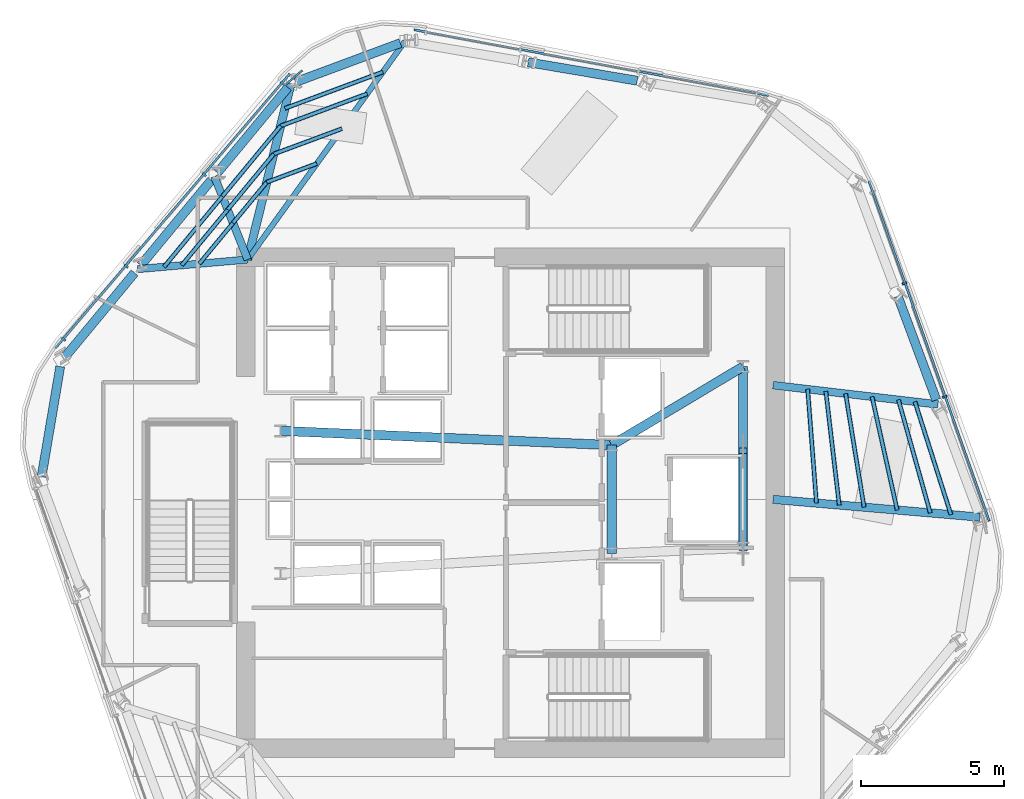
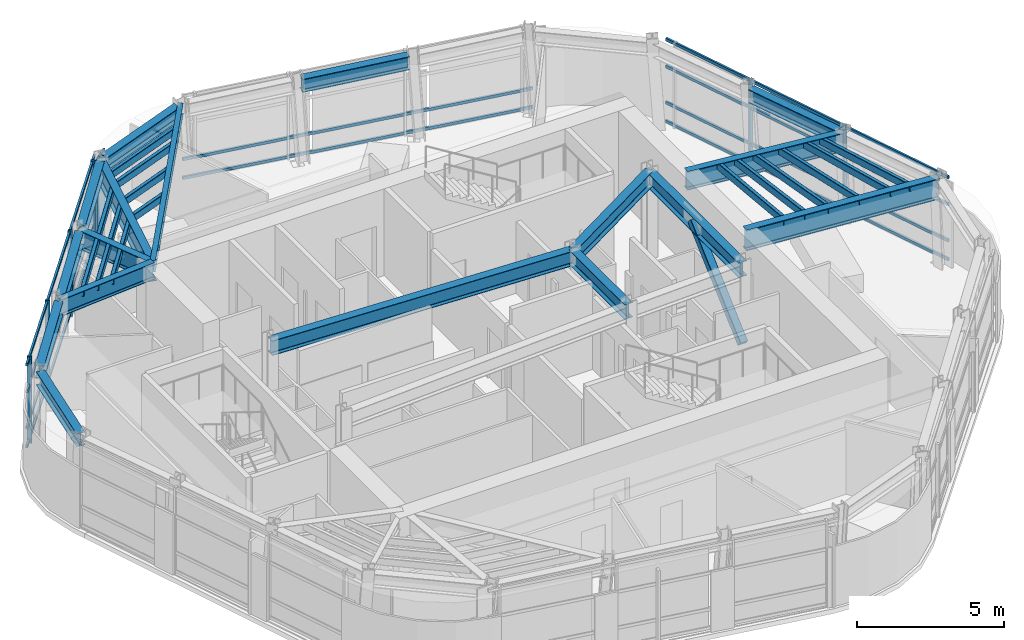
# One storey, part 3 of 12: 34 members, 17 beams, 3 elements without a shape of their own.
"""IFC4 building model written with IfcOpenShell, lengths in metres."""

from ifc_helpers import new_model, si_unit, direction, frame, origin, origin_2d, place, context, subcontext, project, spatial, rectangle, hollow_rectangle, i_section, extrude, material, layer, layer_set, material_profile, profile_set, type_object, element, aggregate, save


model = new_model("IFC4")

# Units and contexts
model_context = context("Model", 3, precision=1e-05, world=origin(), true_north=direction((0.0, 1.0)))
body_context = subcontext(model_context, "Body", "Model", "MODEL_VIEW")
ifc_project = project(units=[si_unit("LENGTHUNIT", "METRE"), si_unit("AREAUNIT", "SQUARE_METRE"), si_unit("VOLUMEUNIT", "CUBIC_METRE"), si_unit("PLANEANGLEUNIT", "RADIAN"), si_unit("MASSUNIT", "GRAM", prefix="KILO")], contexts=[model_context])

# Site, building, storey
site_placement = place(None, origin())
site = spatial("IfcSite", under=ifc_project, at=site_placement, CompositionType="ELEMENT")
building_placement = place(site_placement, origin())
building = spatial("IfcBuilding", under=site, at=building_placement, Name="Valkerne Bourse Tower", CompositionType="ELEMENT")
storey_placement = place(building_placement, frame((0.0, 0.0, 236.0)))
storey = spatial("IfcBuildingStorey", under=building, at=storey_placement, Name="L60", CompositionType="ELEMENT", Elevation=236.0)

# Beams
ifc_material_1 = material(Name="Steel ASTM A992", Category="steel")
ifc_material_profile_1 = material_profile(ifc_material_1, i_section(OverallWidth=0.1904296875, OverallDepth=0.457275390625, WebThickness=0.009033203125, FlangeThickness=0.014404296875, FilletRadius=0.01513671875, at=origin_2d()), Name="W18X50")
ifc_profile_set_1 = profile_set([ifc_material_profile_1], Name="Steel ASTM A992")
beam_type_1 = type_object("IfcBeamType", Name="BM-W18X50", PredefinedType="JOIST", material=ifc_profile_set_1)
beam_1_placement = place(storey_placement, frame((43.105224609375, 43.03955078125, 3.371337890625), z_axis=(-0.584625009684, -0.811303641094, 0.0), x_axis=(0.811303641094, -0.584625009684, 0.0)))
element("IfcBeam", 1, at=beam_1_placement, inside=storey, type_object=beam_type_1, Name="L60 Radial Composite Floor Beam 03", PredefinedType="JOIST", context=body_context, shape_type="SweptSolid", body=[
    extrude(i_section(OverallWidth=0.1904296875, OverallDepth=0.457275390625, WebThickness=0.009033203125, FlangeThickness=0.014404296875, FilletRadius=0.01513671875, at=origin_2d()), origin(), (0.0, 0.0, 1.0), 9.41650390625),
])
ifc_material_profile_2 = material_profile(ifc_material_1, i_section(OverallWidth=0.31494140625, OverallDepth=0.5537109375, WebThickness=0.0166015625, FlangeThickness=0.026123046875, FilletRadius=0.020263671875, at=origin_2d()), Name="W21X132")
ifc_profile_set_2 = profile_set([ifc_material_profile_2], Name="Steel ASTM A992")
beam_type_2 = type_object("IfcBeamType", Name="BM-W21X132", PredefinedType="BEAM", material=ifc_profile_set_2)
beam_2_placement = place(storey_placement, frame((51.24365234375, 41.6630859375, 3.322998046875), z_axis=(-0.985995723124, 0.166770602869, 0.0), x_axis=(-0.166770602869, -0.985995723124, 0.0)))
element("IfcBeam", 2, at=beam_2_placement, inside=storey, type_object=beam_type_2, Name="L60 Hexagonal Spandrel Ring Beam 01", PredefinedType="BEAM", context=body_context, shape_type="SweptSolid", body=[
    extrude(i_section(OverallWidth=0.31494140625, OverallDepth=0.5537109375, WebThickness=0.0166015625, FlangeThickness=0.026123046875, FilletRadius=0.020263671875, at=origin_2d()), origin(), (0.0, 0.0, 1.0), 3.8720703125),
])
beam_3_placement = place(storey_placement, frame((42.94580078125, 42.980224609375, 3.322998046875), z_axis=(-0.937296707827, -0.348532468353, 0.0), x_axis=(0.348532468353, -0.937296707827, 0.0)))
element("IfcBeam", 3, at=beam_3_placement, inside=storey, type_object=beam_type_2, Name="L60 Hexagonal Spandrel Ring Beam 03", PredefinedType="BEAM", context=body_context, shape_type="SweptSolid", body=[
    extrude(i_section(OverallWidth=0.31494140625, OverallDepth=0.5537109375, WebThickness=0.0166015625, FlangeThickness=0.026123046875, FilletRadius=0.020263671875, at=origin_2d()), origin(), (0.0, 0.0, 1.0), 3.915771484375),
])
for number, where, z_axis, x_axis, name in (
    (4, (39.008056640625, 41.425048828125, 3.322998046875), (-0.637414137655, -0.77052139303, 0.0), (0.77052139303, -0.637414137655, 0.0), "L60 Hexagonal Spandrel Ring Beam 04"),
    (5, (36.3232421875, 38.1796875, 3.322998046875), (-0.637414137655, -0.77052139303, 0.0), (0.77052139303, -0.637414137655, 0.0), "L60 Hexagonal Spandrel Ring Beam 05"),
    (6, (33.638427734375, 34.934326171875, 3.322998046875), (-0.637414137655, -0.77052139303, 0.0), (0.77052139303, -0.637414137655, 0.0), "L60 Hexagonal Spandrel Ring Beam 06"),
):
    element("IfcBeam", number, at=place(storey_placement, frame(where, z_axis=z_axis, x_axis=x_axis)), inside=storey, type_object=beam_type_2, Name=name, PredefinedType="BEAM", context=body_context, shape_type="SweptSolid", body=[
        extrude(i_section(OverallWidth=0.31494140625, OverallDepth=0.5537109375, WebThickness=0.0166015625, FlangeThickness=0.026123046875, FilletRadius=0.020263671875, at=origin_2d()), origin(), (0.0, 0.0, 1.0), 3.871826171875),
    ])
beam_4_placement = place(storey_placement, frame((31.033447265625, 31.65234375, 3.322998046875), z_axis=(-0.166724018571, -0.986003601226, 0.0), x_axis=(0.986003601226, -0.166724018571, 0.0)))
element("IfcBeam", 7, at=beam_4_placement, inside=storey, type_object=beam_type_2, Name="L60 Hexagonal Spandrel Ring Beam 07", PredefinedType="BEAM", context=body_context, shape_type="SweptSolid", body=[
    extrude(i_section(OverallWidth=0.31494140625, OverallDepth=0.5537109375, WebThickness=0.0166015625, FlangeThickness=0.026123046875, FilletRadius=0.020263671875, at=origin_2d()), origin(), (0.0, 0.0, 1.0), 3.91552734375),
])
beam_5_placement = place(storey_placement, frame((61.72021484375, 30.483154296875, 3.322998046875), z_axis=(-0.348537936296, 0.937294674562, 0.0), x_axis=(-0.937294674562, -0.348537936296, 0.0)))
element("IfcBeam", 8, at=beam_5_placement, inside=storey, type_object=beam_type_2, Name="L60 Hexagonal Spandrel Ring Beam 21", PredefinedType="BEAM", context=body_context, shape_type="SweptSolid", body=[
    extrude(i_section(OverallWidth=0.31494140625, OverallDepth=0.5537109375, WebThickness=0.0166015625, FlangeThickness=0.026123046875, FilletRadius=0.020263671875, at=origin_2d()), origin(), (0.0, 0.0, 1.0), 3.872314453125),
])
ifc_material_profile_3 = material_profile(ifc_material_1, i_section(OverallWidth=0.3251953125, OverallDepth=0.612060546875, WebThickness=0.0126953125, FlangeThickness=0.01904296875, FilletRadius=0.020263671875, at=origin_2d()), Name="W24X104")
ifc_profile_set_3 = profile_set([ifc_material_profile_3], Name="Steel ASTM A992")
beam_type_3 = type_object("IfcBeamType", Name="BM-W24X104", PredefinedType="BEAM", material=ifc_profile_set_3)
beam_6_placement = place(storey_placement, frame((50.35009765625, 25.10009765625, 3.2939453125), z_axis=(0.0, 1.0, 0.0), x_axis=(-1.0, 0.0, 0.0)))
element("IfcBeam", 9, at=beam_6_placement, inside=storey, type_object=beam_type_3, Name="L60 Core Frame Girder CG-CE", PredefinedType="BEAM", context=body_context, shape_type="SweptSolid", body=[
    extrude(i_section(OverallWidth=0.3251953125, OverallDepth=0.612060546875, WebThickness=0.0126953125, FlangeThickness=0.01904296875, FilletRadius=0.020263671875, at=origin_2d()), origin(), (0.0, 0.0, 1.0), 3.7998046875),
])
beam_7_placement = place(storey_placement, frame((50.35009765625, 28.89990234375, 3.2939453125), z_axis=(0.858307823492, 0.513135148019, 0.0), x_axis=(-0.513135148019, 0.858307823492, 0.0)))
element("IfcBeam", 10, at=beam_7_placement, inside=storey, type_object=beam_type_3, Name="L60 Core Frame Girder CG-NE", PredefinedType="BEAM", context=body_context, shape_type="SweptSolid", body=[
    extrude(i_section(OverallWidth=0.3251953125, OverallDepth=0.612060546875, WebThickness=0.0126953125, FlangeThickness=0.01904296875, FilletRadius=0.020263671875, at=origin_2d()), origin(), (0.0, 0.0, 1.0), 5.359130859375),
])
beam_8_placement = place(storey_placement, frame((54.949951171875, 25.300048828125, 3.2939453125), z_axis=(0.0, 1.0, 0.0), x_axis=(-1.0, 0.0, 0.0)))
element("IfcBeam", 11, at=beam_8_placement, inside=storey, type_object=beam_type_3, Name="L60 Core Frame Girder CG-EE", PredefinedType="BEAM", context=body_context, shape_type="SweptSolid", body=[
    extrude(i_section(OverallWidth=0.3251953125, OverallDepth=0.612060546875, WebThickness=0.0126953125, FlangeThickness=0.01904296875, FilletRadius=0.020263671875, at=origin_2d()), origin(), (0.0, 0.0, 1.0), 6.349853515625),
])
beam_9_placement = place(storey_placement, frame((38.75, 29.39990234375, 3.2939453125), z_axis=(0.999072354402, -0.043063101019, 0.0), x_axis=(0.043063101019, 0.999072354402, 0.0)))
element("IfcBeam", 12, at=beam_9_placement, inside=storey, type_object=beam_type_3, Name="L60 Core Frame Girder CG-NW", PredefinedType="BEAM", context=body_context, shape_type="SweptSolid", body=[
    extrude(i_section(OverallWidth=0.3251953125, OverallDepth=0.612060546875, WebThickness=0.0126953125, FlangeThickness=0.01904296875, FilletRadius=0.020263671875, at=origin_2d()), origin(), (0.0, 0.0, 1.0), 11.61083984375),
])
ifc_material_profile_4 = material_profile(ifc_material_1, i_section(OverallWidth=0.255859375, OverallDepth=0.693359375, WebThickness=0.014404296875, FlangeThickness=0.023681640625, FilletRadius=0.02294921875, at=origin_2d()), Name="W27X114")
ifc_profile_set_4 = profile_set([ifc_material_profile_4], Name="Steel ASTM A992")
beam_type_4 = type_object("IfcBeamType", Name="BM-W27X114", PredefinedType="BEAM", material=ifc_profile_set_4)
beam_10_placement = place(storey_placement, frame((33.746826171875, 35.065185546875, 3.25341796875), z_axis=(0.996248400325, 0.086539729889, 0.0), x_axis=(-0.086539729889, 0.996248400325, 0.0)))
element("IfcBeam", 13, at=beam_10_placement, inside=storey, type_object=beam_type_4, Name="L60 Radial Composite Floor Beam 06", PredefinedType="BEAM", context=body_context, shape_type="SweptSolid", body=[
    extrude(i_section(OverallWidth=0.255859375, OverallDepth=0.693359375, WebThickness=0.014404296875, FlangeThickness=0.023681640625, FilletRadius=0.02294921875, at=origin_2d()), origin(), (0.0, 0.0, 1.0), 3.86767578125),
])
ifc_material_profile_5 = material_profile(ifc_material_1, i_section(OverallWidth=0.26806640625, OverallDepth=0.76953125, WebThickness=0.015625, FlangeThickness=0.025390625, FilletRadius=0.025390625, at=origin_2d()), Name="W30X132")
ifc_profile_set_5 = profile_set([ifc_material_profile_5], Name="Steel ASTM A992")
beam_type_5 = type_object("IfcBeamType", Name="BM-W30X132", PredefinedType="BEAM", material=ifc_profile_set_5)
beam_11_placement = place(storey_placement, frame((36.431640625, 38.310791015625, 3.215087890625), z_axis=(0.372517666201, -0.928025101152, 0.0), x_axis=(0.928025101152, 0.372517666201, 0.0)))
element("IfcBeam", 14, at=beam_11_placement, inside=storey, type_object=beam_type_5, Name="L60 Radial Composite Floor Beam 05", PredefinedType="BEAM", context=body_context, shape_type="SweptSolid", body=[
    extrude(i_section(OverallWidth=0.26806640625, OverallDepth=0.76953125, WebThickness=0.015625, FlangeThickness=0.025390625, FilletRadius=0.025390625, at=origin_2d()), origin(), (0.0, 0.0, 1.0), 3.13671875),
])
beam_12_placement = place(storey_placement, frame((61.779541015625, 30.323974609375, 3.215087890625), z_axis=(-0.993228566522, 0.116176652756, 0.0), x_axis=(-0.116176652756, -0.993228566522, 0.0)))
element("IfcBeam", 15, at=beam_12_placement, inside=storey, type_object=beam_type_5, Name="L60 Radial Composite Floor Beam 21", PredefinedType="BEAM", context=body_context, shape_type="SweptSolid", body=[
    extrude(i_section(OverallWidth=0.26806640625, OverallDepth=0.76953125, WebThickness=0.015625, FlangeThickness=0.025390625, FilletRadius=0.025390625, at=origin_2d()), origin(), (0.0, 0.0, 1.0), 5.81884765625),
])
ifc_material_profile_6 = material_profile(ifc_material_1, i_section(OverallWidth=0.2919921875, OverallDepth=0.8583984375, WebThickness=0.01708984375, FlangeThickness=0.031005859375, FilletRadius=0.025390625, at=origin_2d()), Name="W33X169")
ifc_profile_set_6 = profile_set([ifc_material_profile_6], Name="Steel ASTM A992")
beam_type_6 = type_object("IfcBeamType", Name="BM-W33X169", PredefinedType="BEAM", material=ifc_profile_set_6)
beam_13_placement = place(storey_placement, frame((39.116455078125, 41.55615234375, 3.170654296875), z_axis=(-0.239163712288, -0.970979257618, 0.0), x_axis=(0.970979257618, -0.239163712288, 0.0)))
element("IfcBeam", 16, at=beam_13_placement, inside=storey, type_object=beam_type_6, Name="L60 Radial Composite Floor Beam 04", PredefinedType="BEAM", context=body_context, shape_type="SweptSolid", body=[
    extrude(i_section(OverallWidth=0.2919921875, OverallDepth=0.8583984375, WebThickness=0.01708984375, FlangeThickness=0.031005859375, FilletRadius=0.025390625, at=origin_2d()), origin(), (0.0, 0.0, 1.0), 6.34033203125),
])
beam_14_placement = place(storey_placement, frame((63.247802734375, 26.376220703125, 3.170654296875), z_axis=(-0.996316890012, 0.085747621989, 0.0), x_axis=(-0.085747621989, -0.996316890012, 0.0)))
element("IfcBeam", 17, at=beam_14_placement, inside=storey, type_object=beam_type_6, Name="L60 Radial Composite Floor Beam 20", PredefinedType="BEAM", context=body_context, shape_type="SweptSolid", body=[
    extrude(i_section(OverallWidth=0.2919921875, OverallDepth=0.8583984375, WebThickness=0.01708984375, FlangeThickness=0.031005859375, FilletRadius=0.025390625, at=origin_2d()), origin(), (0.0, 0.0, 1.0), 7.274658203125),
])

# Curtain wall, members
ifc_material_2 = material(Name="Aluminium AA 6063-T6", Category="aluminium")
ifc_layer = layer(ifc_material_2, 0.239990234375)
ifc_layer_set = layer_set([ifc_layer], Name="Aluminium AA 6063-T6")
curtain_wall_type = type_object("IfcCurtainWallType", Name="CW-04", PredefinedType="NOTDEFINED", material=ifc_layer_set)
curtain_wall_1_placement = place(storey_placement, origin())
curtain_wall_1 = element("IfcCurtainWall", 18, at=curtain_wall_1_placement, inside=storey, type_object=curtain_wall_type, Name="L60 Hexagonal Stick Curtain Wall Face 2", PredefinedType="NOTDEFINED")
ifc_material_profile_7 = material_profile(ifc_material_2, rectangle(XDim=0.074951171875, YDim=0.159912109375, at=origin_2d()), Name="CWM-75X160")
ifc_profile_set_7 = profile_set([ifc_material_profile_7], Name="Aluminium AA 6063-T6")
member_type_1 = type_object("IfcMemberType", Name="CW-MUL-160X75", PredefinedType="MULLION", material=ifc_profile_set_7)
member_1_placement = place(storey_placement, frame((38.814697265625, 41.576416015625, 0.0), z_axis=(0.0, 0.0, 1.0), x_axis=(-0.649454964486, -0.760400058591, 0.0)))
member_1 = element("IfcMember", 19, at=member_1_placement, type_object=member_type_1, Name="CW-L60-F2 Jamb Mullion 00A", PredefinedType="MULLION", context=body_context, shape_type="SweptSolid", body=[
    extrude(rectangle(XDim=0.074951171875, YDim=0.159912109375, at=origin_2d()), origin(), (0.0, 0.0, 1.0), 3.60009765625),
])
member_2_placement = place(storey_placement, frame((36.0791015625, 38.37353515625, 0.0), z_axis=(0.0, 0.0, 1.0), x_axis=(-0.649454964486, -0.760400058591, 0.0)))
member_2 = element("IfcMember", 20, at=member_2_placement, type_object=member_type_1, Name="CW-L60-F2 Jamb Mullion 01A", PredefinedType="MULLION", context=body_context, shape_type="SweptSolid", body=[
    extrude(rectangle(XDim=0.074951171875, YDim=0.159912109375, at=origin_2d()), origin(), (0.0, 0.0, 1.0), 3.60009765625),
])
member_3_placement = place(storey_placement, frame((33.34375, 35.1708984375, 0.0), z_axis=(0.0, 0.0, 1.0), x_axis=(-0.649441236502, -0.760411783398, 0.0)))
member_3 = element("IfcMember", 21, at=member_3_placement, type_object=member_type_1, Name="CW-L60-F2 Jamb Mullion 02A", PredefinedType="MULLION", context=body_context, shape_type="SweptSolid", body=[
    extrude(rectangle(XDim=0.074951171875, YDim=0.159912109375, at=origin_2d()), origin(), (0.0, 0.0, 1.0), 3.60009765625),
])
member_4_placement = place(storey_placement, frame((31.15380859375, 32.606689453125, 0.0), z_axis=(0.0, 0.0, 1.0), x_axis=(-0.649441236502, -0.760411783398, 0.0)))
member_4 = element("IfcMember", 22, at=member_4_placement, type_object=member_type_1, Name="CW-L60-F2 Jamb Mullion 02B", PredefinedType="MULLION", context=body_context, shape_type="SweptSolid", body=[
    extrude(rectangle(XDim=0.074951171875, YDim=0.159912109375, at=origin_2d()), origin(), (0.0, 0.0, 1.0), 3.60009765625),
])

curtain_wall_2_placement = place(storey_placement, origin())
curtain_wall_2 = element("IfcCurtainWall", 23, at=curtain_wall_2_placement, inside=storey, type_object=curtain_wall_type, Name="L60 Hexagonal Stick Curtain Wall Face 6", PredefinedType="NOTDEFINED")
member_5_placement = place(storey_placement, frame((62.01025390625, 30.59765625, 0.0), z_axis=(0.0, 0.0, 1.0), x_axis=(-0.333808466695, 0.942640921859, 0.0)))
member_5 = element("IfcMember", 24, at=member_5_placement, type_object=member_type_1, Name="CW-L60-F6 Jamb Mullion 01A", PredefinedType="MULLION", context=body_context, shape_type="SweptSolid", body=[
    extrude(rectangle(XDim=0.074951171875, YDim=0.159912109375, at=origin_2d()), origin(), (0.0, 0.0, 1.0), 3.60009765625),
])
member_6_placement = place(storey_placement, frame((60.604248046875, 34.568115234375, 0.0), z_axis=(0.0, 0.0, 1.0), x_axis=(-0.33380099624, 0.942643567267, 0.0)))
member_6 = element("IfcMember", 25, at=member_6_placement, type_object=member_type_1, Name="CW-L60-F6 Jamb Mullion 02A", PredefinedType="MULLION", context=body_context, shape_type="SweptSolid", body=[
    extrude(rectangle(XDim=0.074951171875, YDim=0.159912109375, at=origin_2d()), origin(), (0.0, 0.0, 1.0), 3.60009765625),
])

curtain_wall_3_placement = place(storey_placement, origin())
curtain_wall_3 = element("IfcCurtainWall", 26, at=curtain_wall_3_placement, inside=storey, type_object=curtain_wall_type, Name="L60 Hexagonal Stick Curtain Wall Face 1", PredefinedType="NOTDEFINED")
ifc_material_profile_8 = material_profile(ifc_material_2, rectangle(XDim=0.074951171875, YDim=0.1201171875, at=origin_2d()), Name="CWT-75X120")
ifc_profile_set_8 = profile_set([ifc_material_profile_8], Name="Aluminium AA 6063-T6")
member_type_2 = type_object("IfcMemberType", Name="CW-TRN-120X75", PredefinedType="USERDEFINED", material=ifc_profile_set_8)
member_7_placement = place(storey_placement, frame((55.84765625, 41.14697265625, 0.1201171875), z_axis=(-0.983255216841, 0.182233856777, 0.0), x_axis=(-0.182233856777, -0.983255216841, 0.0)))
member_7 = element("IfcMember", 27, at=member_7_placement, type_object=member_type_2, Name="CW-L60-F1 Continuous Face Transom 1", ObjectType="TRANSOM", PredefinedType="USERDEFINED", context=body_context, shape_type="SweptSolid", body=[
    extrude(rectangle(XDim=0.074951171875, YDim=0.1201171875, at=origin_2d()), origin(), (0.0, 0.0, 1.0), 12.63623046875),
])
member_8_placement = place(storey_placement, frame((55.84765625, 41.14697265625, 0.89990234375), z_axis=(-0.983255216841, 0.182233856777, 0.0), x_axis=(-0.182233856777, -0.983255216841, 0.0)))
member_8 = element("IfcMember", 28, at=member_8_placement, type_object=member_type_2, Name="CW-L60-F1 Continuous Face Transom 2", ObjectType="TRANSOM", PredefinedType="USERDEFINED", context=body_context, shape_type="SweptSolid", body=[
    extrude(rectangle(XDim=0.074951171875, YDim=0.1201171875, at=origin_2d()), origin(), (0.0, 0.0, 1.0), 12.63623046875),
])
aggregate(curtain_wall_3, [member_7, member_8])

# Member
member_9_placement = place(storey_placement, frame((39.072265625, 41.90869140625, 0.1201171875), z_axis=(-0.649445820014, -0.760407868756, 0.0), x_axis=(0.760407868756, -0.649445820014, 0.0)))
member_9 = element("IfcMember", 29, at=member_9_placement, type_object=member_type_2, Name="CW-L60-F2 Continuous Face Transom 1", ObjectType="TRANSOM", PredefinedType="USERDEFINED", context=body_context, shape_type="SweptSolid", body=[
    extrude(rectangle(XDim=0.074951171875, YDim=0.1201171875, at=origin_2d()), origin(), (0.0, 0.0, 1.0), 12.6357421875),
])

member_10_placement = place(storey_placement, frame((39.072265625, 41.90869140625, 0.89990234375), z_axis=(-0.649445820014, -0.760407868756, 0.0), x_axis=(0.760407868756, -0.649445820014, 0.0)))
member_10 = element("IfcMember", 30, at=member_10_placement, type_object=member_type_2, Name="CW-L60-F2 Continuous Face Transom 2", ObjectType="TRANSOM", PredefinedType="USERDEFINED", context=body_context, shape_type="SweptSolid", body=[
    extrude(rectangle(XDim=0.074951171875, YDim=0.1201171875, at=origin_2d()), origin(), (0.0, 0.0, 1.0), 12.6357421875),
])

member_11_placement = place(storey_placement, frame((39.072265625, 41.90869140625, 2.39990234375), z_axis=(-0.649445820014, -0.760407868756, 0.0), x_axis=(0.760407868756, -0.649445820014, 0.0)))
member_11 = element("IfcMember", 31, at=member_11_placement, type_object=member_type_2, Name="CW-L60-F2 Continuous Face Transom 3", ObjectType="TRANSOM", PredefinedType="USERDEFINED", context=body_context, shape_type="SweptSolid", body=[
    extrude(rectangle(XDim=0.074951171875, YDim=0.1201171875, at=origin_2d()), origin(), (0.0, 0.0, 1.0), 12.6357421875),
])

member_12_placement = place(storey_placement, frame((39.072265625, 41.90869140625, 3.52001953125), z_axis=(-0.649445820014, -0.760407868756, 0.0), x_axis=(0.760407868756, -0.649445820014, 0.0)))
member_12 = element("IfcMember", 32, at=member_12_placement, type_object=member_type_2, Name="CW-L60-F2 Continuous Face Transom 4", ObjectType="TRANSOM", PredefinedType="USERDEFINED", context=body_context, shape_type="SweptSolid", body=[
    extrude(rectangle(XDim=0.074951171875, YDim=0.1201171875, at=origin_2d()), origin(), (0.0, 0.0, 1.0), 12.6357421875),
])

aggregate(curtain_wall_1, [member_9, member_10, member_11, member_12, member_1, member_2, member_3, member_4])

member_13_placement = place(storey_placement, frame((63.575439453125, 26.238037109375, 0.1201171875), z_axis=(-0.333805296347, 0.942642044538, 0.0), x_axis=(-0.942642044538, -0.333805296347, 0.0)))
member_13 = element("IfcMember", 33, at=member_13_placement, type_object=member_type_2, Name="CW-L60-F6 Continuous Face Transom 1", ObjectType="TRANSOM", PredefinedType="USERDEFINED", context=body_context, shape_type="SweptSolid", body=[
    extrude(rectangle(XDim=0.074951171875, YDim=0.1201171875, at=origin_2d()), origin(), (0.0, 0.0, 1.0), 12.63623046875),
])

member_14_placement = place(storey_placement, frame((63.575439453125, 26.238037109375, 0.89990234375), z_axis=(-0.333805296347, 0.942642044538, 0.0), x_axis=(-0.942642044538, -0.333805296347, 0.0)))
member_14 = element("IfcMember", 34, at=member_14_placement, type_object=member_type_2, Name="CW-L60-F6 Continuous Face Transom 2", ObjectType="TRANSOM", PredefinedType="USERDEFINED", context=body_context, shape_type="SweptSolid", body=[
    extrude(rectangle(XDim=0.074951171875, YDim=0.1201171875, at=origin_2d()), origin(), (0.0, 0.0, 1.0), 12.63623046875),
])

member_15_placement = place(storey_placement, frame((63.575439453125, 26.238037109375, 2.39990234375), z_axis=(-0.333805296347, 0.942642044538, 0.0), x_axis=(-0.942642044538, -0.333805296347, 0.0)))
member_15 = element("IfcMember", 35, at=member_15_placement, type_object=member_type_2, Name="CW-L60-F6 Continuous Face Transom 3", ObjectType="TRANSOM", PredefinedType="USERDEFINED", context=body_context, shape_type="SweptSolid", body=[
    extrude(rectangle(XDim=0.074951171875, YDim=0.1201171875, at=origin_2d()), origin(), (0.0, 0.0, 1.0), 12.63623046875),
])

member_16_placement = place(storey_placement, frame((63.575439453125, 26.238037109375, 3.52001953125), z_axis=(-0.333805296347, 0.942642044538, 0.0), x_axis=(-0.942642044538, -0.333805296347, 0.0)))
member_16 = element("IfcMember", 36, at=member_16_placement, type_object=member_type_2, Name="CW-L60-F6 Continuous Face Transom 4", ObjectType="TRANSOM", PredefinedType="USERDEFINED", context=body_context, shape_type="SweptSolid", body=[
    extrude(rectangle(XDim=0.074951171875, YDim=0.1201171875, at=origin_2d()), origin(), (0.0, 0.0, 1.0), 12.63623046875),
])

aggregate(curtain_wall_2, [member_13, member_14, member_15, member_16, member_5, member_6])

# Members
ifc_material_3 = material(Name="Bronze Anodised Aluminium AA 6063-T6", Category="aluminium")
ifc_material_profile_9 = material_profile(ifc_material_3, rectangle(XDim=0.06494140625, YDim=0.75, at=origin_2d()), Name="FIN-65X750")
ifc_profile_set_9 = profile_set([ifc_material_profile_9], Name="Bronze Anodised Aluminium AA 6063-T6")
member_type_3 = type_object("IfcMemberType", Name="FIN-SOLAR-650", PredefinedType="USERDEFINED", material=ifc_profile_set_9)
member_17_placement = place(storey_placement, frame((39.224365234375, 41.77880859375, 0.00390625), z_axis=(0.0, 0.0, 1.0), x_axis=(-0.648214389205, 0.761457881717, 0.0)))
element("IfcMember", 37, at=member_17_placement, inside=storey, type_object=member_type_3, Name="L60 Bronze Anodised Solar Fin F2-00", ObjectType="SOLAR_FIN", PredefinedType="USERDEFINED", context=body_context, shape_type="SweptSolid", body=[
    extrude(rectangle(XDim=0.06494140625, YDim=0.75, at=origin_2d()), origin(), (0.0, 0.0, 1.0), 3.592041015625),
])
ifc_material_4 = material(Name="Steel ASTM A500 Grade C", Category="steel")
ifc_material_profile_10 = material_profile(ifc_material_4, hollow_rectangle(XDim=0.14990234375, YDim=0.300048828125, WallThickness=0.012451171875, OuterFilletRadius=0.02490234375, at=origin_2d()), Name="HSS300X150X12.5")
ifc_profile_set_10 = profile_set([ifc_material_profile_10], Name="Steel ASTM A500 Grade C")
member_type_4 = type_object("IfcMemberType", Name="MBR-HSS300X150X12.5", PredefinedType="PURLIN", material=ifc_profile_set_10)
member_18_placement = place(storey_placement, frame((58.3193359375, 26.80029296875, 3.43994140625), z_axis=(-0.117109643283, 0.993118991587, 0.0), x_axis=(-0.993118991587, -0.117109643283, 0.0)))
element("IfcMember", 38, at=member_18_placement, inside=storey, type_object=member_type_4, Name="L60 Secondary Composite Floor Purlin I-20", PredefinedType="PURLIN", context=body_context, shape_type="SweptSolid", body=[
    extrude(hollow_rectangle(XDim=0.14990234375, YDim=0.300048828125, WallThickness=0.012451171875, OuterFilletRadius=0.02490234375, at=origin_2d()), origin(), (0.0, 0.0, 1.0), 4.010986328125),
])
member_19_placement = place(storey_placement, frame((40.022216796875, 38.761474609375, 3.43994140625), z_axis=(-0.937263465178, -0.34862185365, 0.0), x_axis=(0.34862185365, -0.937263465178, 0.0)))
element("IfcMember", 39, at=member_19_placement, inside=storey, type_object=member_type_4, Name="L60 Secondary Composite Floor Purlin K-03", PredefinedType="PURLIN", context=body_context, shape_type="SweptSolid", body=[
    extrude(hollow_rectangle(XDim=0.14990234375, YDim=0.300048828125, WallThickness=0.012451171875, OuterFilletRadius=0.02490234375, at=origin_2d()), origin(), (0.0, 0.0, 1.0), 1.87255859375),
])
for number, where, z_axis, x_axis, name in (
    (40, (38.26708984375, 38.108642578125, 3.43994140625), (-0.637368173599, -0.770559414506, 0.0), (0.770559414506, -0.637368173599, 0.0), "L60 Secondary Composite Floor Purlin K-04"),
    (41, (37.0859375, 36.6806640625, 3.43994140625), (-0.637446387162, -0.770494713476, 0.0), (0.770494713476, -0.637446387162, 0.0), "L60 Secondary Composite Floor Purlin K-05"),
):
    element("IfcMember", number, at=place(storey_placement, frame(where, z_axis=z_axis, x_axis=x_axis)), inside=storey, type_object=member_type_4, Name=name, PredefinedType="PURLIN", context=body_context, shape_type="SweptSolid", body=[
        extrude(hollow_rectangle(XDim=0.14990234375, YDim=0.300048828125, WallThickness=0.012451171875, OuterFilletRadius=0.02490234375, at=origin_2d()), origin(), (0.0, 0.0, 1.0), 1.853271484375),
    ])
member_20_placement = place(storey_placement, frame((59.18896484375, 26.7255859375, 3.43994140625), z_axis=(-0.160339245157, 0.987061966881, 0.0), x_axis=(-0.987061966881, -0.160339245157, 0.0)))
element("IfcMember", 42, at=member_20_placement, inside=storey, type_object=member_type_4, Name="L60 Secondary Composite Floor Purlin K-20", PredefinedType="PURLIN", context=body_context, shape_type="SweptSolid", body=[
    extrude(hollow_rectangle(XDim=0.14990234375, YDim=0.300048828125, WallThickness=0.012451171875, OuterFilletRadius=0.02490234375, at=origin_2d()), origin(), (0.0, 0.0, 1.0), 4.029052734375),
])
member_21_placement = place(storey_placement, frame((41.783935546875, 41.2060546875, 3.43994140625), z_axis=(-0.937278065982, -0.348582597141, 0.0), x_axis=(0.348582597141, -0.937278065982, 0.0)))
element("IfcMember", 43, at=member_21_placement, inside=storey, type_object=member_type_4, Name="L60 Secondary Composite Floor Purlin O-03", PredefinedType="PURLIN", context=body_context, shape_type="SweptSolid", body=[
    extrude(hollow_rectangle(XDim=0.14990234375, YDim=0.300048828125, WallThickness=0.012451171875, OuterFilletRadius=0.02490234375, at=origin_2d()), origin(), (0.0, 0.0, 1.0), 3.234375),
])
member_22_placement = place(storey_placement, frame((38.75244140625, 40.07861328125, 3.43994140625), z_axis=(-0.63742722848, -0.770510563453, 0.0), x_axis=(0.770510563453, -0.63742722848, 0.0)))
element("IfcMember", 44, at=member_22_placement, inside=storey, type_object=member_type_4, Name="L60 Secondary Composite Floor Purlin O-04", PredefinedType="PURLIN", context=body_context, shape_type="SweptSolid", body=[
    extrude(hollow_rectangle(XDim=0.14990234375, YDim=0.300048828125, WallThickness=0.012451171875, OuterFilletRadius=0.02490234375, at=origin_2d()), origin(), (0.0, 0.0, 1.0), 3.201171875),
])
member_23_placement = place(storey_placement, frame((36.7119140625, 37.612060546875, 3.43994140625), z_axis=(-0.637381947366, -0.770548021328, 0.0), x_axis=(0.770548021328, -0.637381947366, 0.0)))
element("IfcMember", 45, at=member_23_placement, inside=storey, type_object=member_type_4, Name="L60 Secondary Composite Floor Purlin O-05", PredefinedType="PURLIN", context=body_context, shape_type="SweptSolid", body=[
    extrude(hollow_rectangle(XDim=0.14990234375, YDim=0.300048828125, WallThickness=0.012451171875, OuterFilletRadius=0.02490234375, at=origin_2d()), origin(), (0.0, 0.0, 1.0), 3.200927734375),
])
member_24_placement = place(storey_placement, frame((61.50830078125, 26.52587890625, 3.43994140625), z_axis=(-0.27117686802, 0.962529535262, 0.0), x_axis=(-0.962529535262, -0.27117686802, 0.0)))
element("IfcMember", 46, at=member_24_placement, inside=storey, type_object=member_type_4, Name="L60 Secondary Composite Floor Purlin O-20", PredefinedType="PURLIN", context=body_context, shape_type="SweptSolid", body=[
    extrude(hollow_rectangle(XDim=0.14990234375, YDim=0.300048828125, WallThickness=0.012451171875, OuterFilletRadius=0.02490234375, at=origin_2d()), origin(), (0.0, 0.0, 1.0), 4.1142578125),
])
member_25_placement = place(storey_placement, frame((40.903076171875, 39.983642578125, 3.43994140625), z_axis=(-0.937303948631, -0.348512995283, 0.0), x_axis=(0.348512995283, -0.937303948631, 0.0)))
element("IfcMember", 47, at=member_25_placement, inside=storey, type_object=member_type_4, Name="L60 Secondary Composite Floor Purlin Z-03", PredefinedType="PURLIN", context=body_context, shape_type="SweptSolid", body=[
    extrude(hollow_rectangle(XDim=0.14990234375, YDim=0.300048828125, WallThickness=0.012451171875, OuterFilletRadius=0.02490234375, at=origin_2d()), origin(), (0.0, 0.0, 1.0), 2.553466796875),
])
for number, where, z_axis, x_axis, name in (
    (48, (38.509765625, 39.09375, 3.43994140625), (-0.637405576575, -0.770528475108, 0.0), (0.770528475108, -0.637405576575, 0.0), "L60 Secondary Composite Floor Purlin Z-04"),
    (49, (36.89892578125, 37.146484375, 3.43994140625), (-0.637405576575, -0.770528475108, 0.0), (0.770528475108, -0.637405576575, 0.0), "L60 Secondary Composite Floor Purlin Z-05"),
):
    element("IfcMember", number, at=place(storey_placement, frame(where, z_axis=z_axis, x_axis=x_axis)), inside=storey, type_object=member_type_4, Name=name, PredefinedType="PURLIN", context=body_context, shape_type="SweptSolid", body=[
        extrude(hollow_rectangle(XDim=0.14990234375, YDim=0.300048828125, WallThickness=0.012451171875, OuterFilletRadius=0.02490234375, at=origin_2d()), origin(), (0.0, 0.0, 1.0), 2.527099609375),
    ])
member_26_placement = place(storey_placement, frame((60.3486328125, 26.625732421875, 3.43994140625), z_axis=(-0.216688806553, 0.97624072908, 0.0), x_axis=(-0.97624072908, -0.216688806553, 0.0)))
element("IfcMember", 50, at=member_26_placement, inside=storey, type_object=member_type_4, Name="L60 Secondary Composite Floor Purlin Z-20", PredefinedType="PURLIN", context=body_context, shape_type="SweptSolid", body=[
    extrude(hollow_rectangle(XDim=0.14990234375, YDim=0.300048828125, WallThickness=0.012451171875, OuterFilletRadius=0.02490234375, at=origin_2d()), origin(), (0.0, 0.0, 1.0), 4.065185546875),
])
member_27_placement = place(storey_placement, frame((57.52197265625, 26.868896484375, 3.43994140625), z_axis=(-0.077069799791, 0.997025699749, 0.0), x_axis=(-0.997025699749, -0.077069799791, 0.0)))
element("IfcMember", 51, at=member_27_placement, inside=storey, type_object=member_type_4, Name="L60 Secondary Composite Floor Purlin S-20", PredefinedType="PURLIN", context=body_context, shape_type="SweptSolid", body=[
    extrude(hollow_rectangle(XDim=0.14990234375, YDim=0.300048828125, WallThickness=0.012451171875, OuterFilletRadius=0.02490234375, at=origin_2d()), origin(), (0.0, 0.0, 1.0), 4.0009765625),
])
member_28_placement = place(storey_placement, frame((42.33447265625, 41.969970703125, 3.43994140625), z_axis=(-0.937271529617, -0.348600171787, 0.0), x_axis=(0.348600171787, -0.937271529617, 0.0)))
element("IfcMember", 52, at=member_28_placement, inside=storey, type_object=member_type_4, Name="L60 Secondary Composite Floor Purlin T-03", PredefinedType="PURLIN", context=body_context, shape_type="SweptSolid", body=[
    extrude(hollow_rectangle(XDim=0.14990234375, YDim=0.300048828125, WallThickness=0.012451171875, OuterFilletRadius=0.02490234375, at=origin_2d()), origin(), (0.0, 0.0, 1.0), 3.659912109375),
])
member_29_placement = place(storey_placement, frame((62.233154296875, 26.46337890625, 3.43994140625), z_axis=(-0.304118517664, 0.952634204306, 0.0), x_axis=(-0.952634204306, -0.304118517664, 0.0)))
element("IfcMember", 53, at=member_29_placement, inside=storey, type_object=member_type_4, Name="L60 Secondary Composite Floor Purlin T-20", PredefinedType="PURLIN", context=body_context, shape_type="SweptSolid", body=[
    extrude(hollow_rectangle(XDim=0.14990234375, YDim=0.300048828125, WallThickness=0.012451171875, OuterFilletRadius=0.02490234375, at=origin_2d()), origin(), (0.0, 0.0, 1.0), 4.152099609375),
])
ifc_material_profile_11 = material_profile(ifc_material_4, hollow_rectangle(XDim=0.300048828125, YDim=0.300048828125, WallThickness=0.012451171875, OuterFilletRadius=0.02490234375, at=origin_2d()), Name="HSS300X300X12.5")
ifc_profile_set_11 = profile_set([ifc_material_profile_11], Name="Steel ASTM A500 Grade C")
member_type_5 = type_object("IfcMemberType", Name="MBR-HSS300X300X12.5", PredefinedType="STRUT", material=ifc_profile_set_11)
member_30_placement = place(storey_placement, frame((54.949951171875, 25.300048828125, 0.219970703125), z_axis=(0.0, 0.741766660352, 0.670658051163), x_axis=(-1.0, 0.0, 0.0)))
element("IfcMember", 54, at=member_30_placement, inside=storey, type_object=member_type_5, Name="L60 Core Service Pier Lateral Brace", PredefinedType="STRUT", context=body_context, shape_type="SweptSolid", body=[
    extrude(hollow_rectangle(XDim=0.300048828125, YDim=0.300048828125, WallThickness=0.012451171875, OuterFilletRadius=0.02490234375, at=origin_2d()), origin(), (0.0, 0.0, 1.0), 4.58349609375),
])

save(model, "model.ifc")
